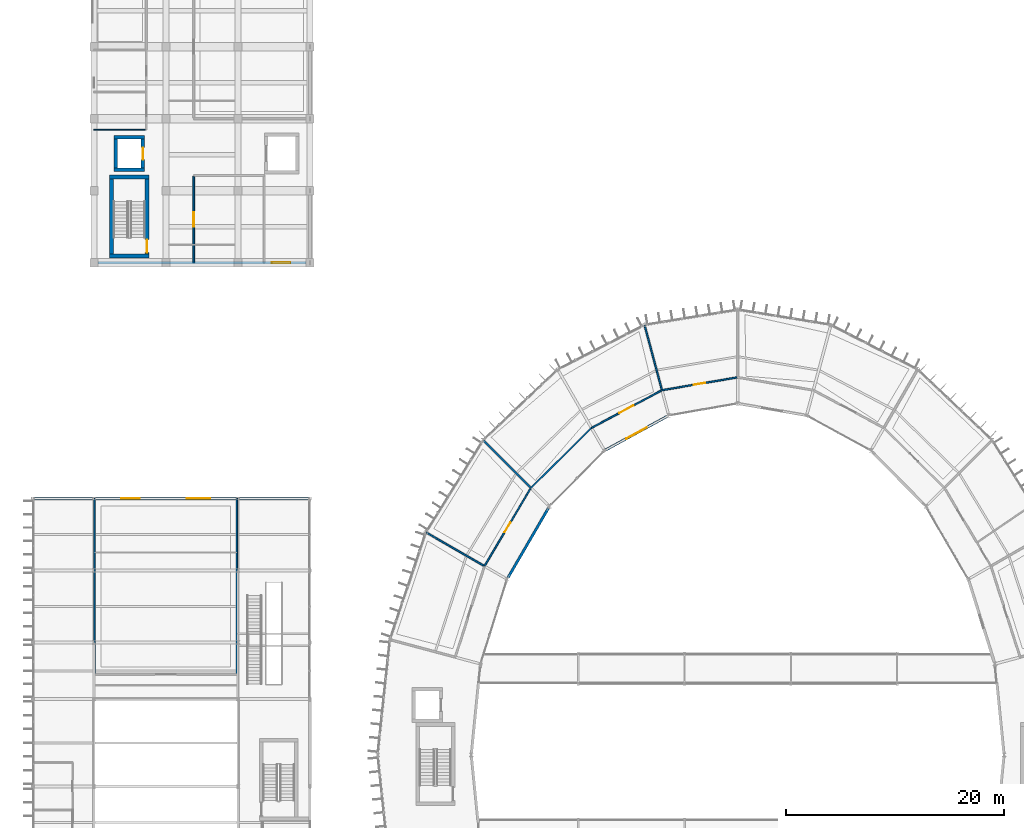
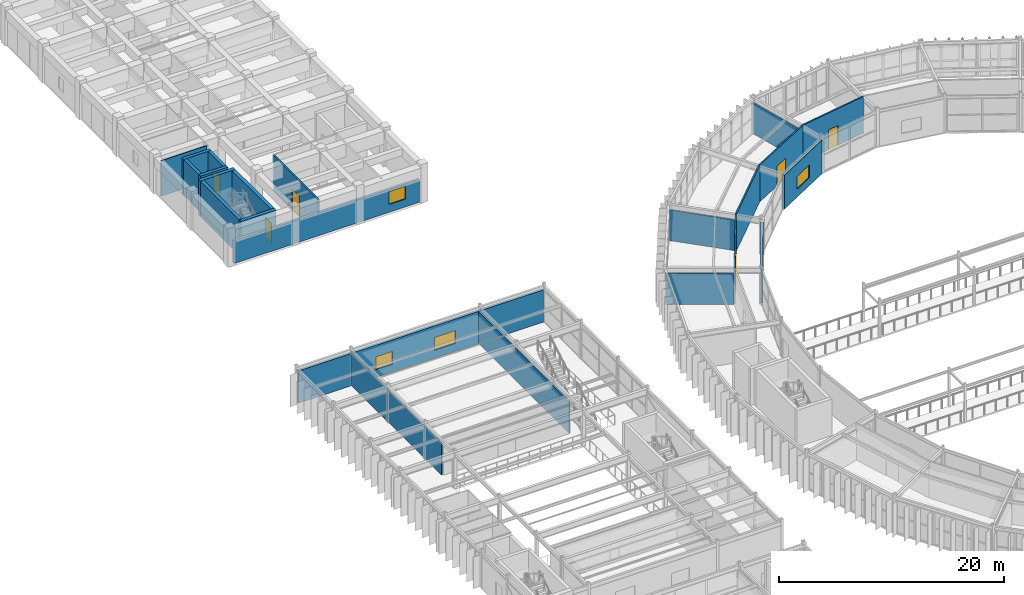
# One storey, part 126 of 148: 23 walls, 6 doors, 4 windows, 10 openings.
"""IFC4 building model written with IfcOpenShell, lengths in metres."""

from ifc_helpers import new_model, si_unit, direction, frame, frame_2d, origin, place, context, subcontext, project, spatial, rectangle, extrude, material, layer, layer_set, type_object, element, fill, save


model = new_model("IFC4")

# Units and contexts
model_context = context("Model", 3, precision=1e-05, world=origin(), true_north=direction((0.0, 1.0)))
body_context = subcontext(model_context, "Body", "Model", "MODEL_VIEW")
ifc_project = project(units=[si_unit("LENGTHUNIT", "METRE"), si_unit("AREAUNIT", "SQUARE_METRE"), si_unit("VOLUMEUNIT", "CUBIC_METRE"), si_unit("PLANEANGLEUNIT", "RADIAN"), si_unit("MASSUNIT", "GRAM", prefix="KILO")], contexts=[model_context])

# Site, building, storey
site_placement = place(None, origin())
site = spatial("IfcSite", under=ifc_project, at=site_placement, CompositionType="ELEMENT")
building_placement = place(site_placement, origin())
building = spatial("IfcBuilding", under=site, at=building_placement, Name="Karori Crest Natural Sciences Institute", CompositionType="ELEMENT")
storey_placement = place(building_placement, frame((0.0, 0.0, 4.89990234375)))
storey = spatial("IfcBuildingStorey", under=building, at=storey_placement, Name="L01", CompositionType="ELEMENT", Elevation=4.89990234375)

# Walls
ifc_material_1 = material(Name="Concrete 50 MPa", Category="concrete")
ifc_layer_1 = layer(ifc_material_1, 0.35009765625, Name="Concrete 50 MPa")
ifc_layer_set_1 = layer_set([ifc_layer_1], Name="Concrete 50 MPa")
wall_type_1 = type_object("IfcWallType", Name="IWT-02", PredefinedType="SHEAR", material=ifc_layer_set_1)
for number, where, z_axis, x_axis, name in (
    (1, (8.85009765625, 95.625, 0.0), (0.0, 0.0, 1.0), (1.0, 0.0, 0.0), "Shear wall IW-0173"),
    (2, (8.85009765625, 102.875, 0.0), (0.0, 0.0, 1.0), (1.0, 0.0, 0.0), "Shear wall IW-0174"),
):
    element("IfcWall", number, at=place(storey_placement, frame(where, z_axis=z_axis, x_axis=x_axis)), inside=storey, type_object=wall_type_1, Name=name, PredefinedType="SHEAR", context=body_context, shape_type="SweptSolid", body=[
        extrude(rectangle(XDim=3.599853515625, YDim=0.35009765625, at=frame_2d((1.7998046875, 0.0))), origin(), (0.0, 0.0, 1.0), 3.85009765625),
    ])
wall_1_placement = place(storey_placement, frame((9.02490234375, 95.802001953125, 0.0), z_axis=(0.0, 0.0, 1.0), x_axis=(0.0, 1.0, 0.0)))
element("IfcWall", 3, at=wall_1_placement, inside=storey, type_object=wall_type_1, Name="Shear wall IW-0175", PredefinedType="SHEAR", context=body_context, shape_type="SweptSolid", body=[
    extrude(rectangle(XDim=6.89599609375, YDim=0.35009765625, at=frame_2d((3.447998046875, 0.0))), origin(), (0.0, 0.0, 1.0), 3.85009765625),
])

# Wall, opening, door
wall_2_placement = place(storey_placement, frame((12.27490234375, 95.802001953125, 0.0), z_axis=(0.0, 0.0, 1.0), x_axis=(0.0, 1.0, 0.0)))
wall_2 = element("IfcWall", 4, at=wall_2_placement, inside=storey, type_object=wall_type_1, Name="Shear wall IW-0176", PredefinedType="SHEAR", context=body_context, shape_type="SweptSolid", body=[
    extrude(rectangle(XDim=6.89599609375, YDim=0.35009765625, at=frame_2d((3.447998046875, 0.0))), origin(), (0.0, 0.0, 1.0), 3.85009765625),
])
opening_1_placement = place(wall_2_placement, frame((0.1201171875, 0.0, 0.0)))
opening_1 = element("IfcOpeningElement", 5, at=opening_1_placement, cuts=wall_2, Name="Opening ID-0044", PredefinedType="OPENING", context=body_context, shape_type="SweptSolid", body=[
    extrude(rectangle(XDim=1.199951171875, YDim=2.14990234375, at=frame_2d((0.60009765625, 1.074951171875))), frame((0.0, 0.18505859375, 0.0), z_axis=(0.0, -1.0, 0.0), x_axis=(1.0, 0.0, 0.0)), (0.0, 0.0, 1.0), 0.3701171875),
])
ifc_material_2 = material(Name="Stainless steel 316 and fire-rated timber", Category="steel")
door_type_1 = type_object("IfcDoorType", Name="IDT-01", OperationType="NOTDEFINED", PredefinedType="DOOR", material=ifc_material_2)
door_1_placement = place(opening_1_placement, origin())
door_1 = element("IfcDoor", 6, at=door_1_placement, inside=storey, type_object=door_type_1, Name="Stair ST-05 fire door ID-0044", OperationType="SINGLE_SWING_RIGHT", OverallHeight=2.14990234375, OverallWidth=1.199951171875, PredefinedType="DOOR", context=body_context, shape_type="SweptSolid", body=[
    extrude(rectangle(XDim=1.199951171875, YDim=2.14990234375, at=frame_2d((0.60009765625, 1.074951171875))), frame((0.0, 0.02490234375, 0.0), z_axis=(0.0, -1.0, 0.0), x_axis=(1.0, 0.0, 0.0)), (0.0, 0.0, 1.0), 0.050048828125),
])
fill(opening_1, door_1)

# Walls
ifc_layer_2 = layer(ifc_material_1, 0.320068359375, Name="Concrete 50 MPa")
ifc_layer_set_2 = layer_set([ifc_layer_2], Name="Concrete 50 MPa")
wall_type_2 = type_object("IfcWallType", Name="IWT-03", PredefinedType="SHEAR", material=ifc_layer_set_2)
for number, where, z_axis, x_axis, name in (
    (7, (9.2451171875, 103.5048828125, 0.0), (0.0, 0.0, 1.0), (1.0, 0.0, 0.0), "Shear wall IW-0495"),
    (8, (9.2451171875, 106.4951171875, 0.0), (0.0, 0.0, 1.0), (1.0, 0.0, 0.0), "Shear wall IW-0496"),
):
    element("IfcWall", number, at=place(storey_placement, frame(where, z_axis=z_axis, x_axis=x_axis)), inside=storey, type_object=wall_type_2, Name=name, PredefinedType="SHEAR", context=body_context, shape_type="SweptSolid", body=[
        extrude(rectangle(XDim=2.809814453125, YDim=0.320068359375, at=frame_2d((1.40478515625, 0.0))), origin(), (0.0, 0.0, 1.0), 3.85009765625),
    ])
wall_3_placement = place(storey_placement, frame((9.405029296875, 103.6669921875, 0.0), z_axis=(0.0, 0.0, 1.0), x_axis=(0.0, 1.0, 0.0)))
element("IfcWall", 9, at=wall_3_placement, inside=storey, type_object=wall_type_2, Name="Shear wall IW-0497", PredefinedType="SHEAR", context=body_context, shape_type="SweptSolid", body=[
    extrude(rectangle(XDim=2.666015625, YDim=0.320068359375, at=frame_2d((1.3330078125, 0.0))), origin(), (0.0, 0.0, 1.0), 3.85009765625),
])

# Wall, opening, door
wall_4_placement = place(storey_placement, frame((11.89501953125, 103.6669921875, 0.0), z_axis=(0.0, 0.0, 1.0), x_axis=(0.0, 1.0, 0.0)))
wall_4 = element("IfcWall", 10, at=wall_4_placement, inside=storey, type_object=wall_type_2, Name="Shear wall IW-0498", PredefinedType="SHEAR", context=body_context, shape_type="SweptSolid", body=[
    extrude(rectangle(XDim=2.666015625, YDim=0.320068359375, at=frame_2d((1.3330078125, 0.0))), origin(), (0.0, 0.0, 1.0), 3.85009765625),
])
opening_2_placement = place(wall_4_placement, frame((0.782958984375, 0.0, 0.0)))
opening_2 = element("IfcOpeningElement", 11, at=opening_2_placement, cuts=wall_4, Name="Opening LD-0050", PredefinedType="OPENING", context=body_context, shape_type="SweptSolid", body=[
    extrude(rectangle(XDim=1.10009765625, YDim=2.14990234375, at=frame_2d((0.550048828125, 1.074951171875))), frame((0.0, 0.169921875, 0.0), z_axis=(0.0, -1.0, 0.0), x_axis=(1.0, 0.0, 0.0)), (0.0, 0.0, 1.0), 0.340087890625),
])
door_type_2 = type_object("IfcDoorType", Name="LDT-01", OperationType="SLIDING_TO_LEFT", PredefinedType="DOOR", material=ifc_material_2)
door_2_placement = place(opening_2_placement, origin())
door_2 = element("IfcDoor", 12, at=door_2_placement, inside=storey, type_object=door_type_2, Name="Lift LP-04 landing door LD-0050", OperationType="SLIDING_TO_LEFT", OverallHeight=2.14990234375, OverallWidth=1.10009765625, PredefinedType="DOOR", context=body_context, shape_type="SweptSolid", body=[
    extrude(rectangle(XDim=1.10009765625, YDim=2.14990234375, at=frame_2d((0.550048828125, 1.074951171875))), frame((0.0, 0.02490234375, 0.0), z_axis=(0.0, -1.0, 0.0), x_axis=(1.0, 0.0, 0.0)), (0.0, 0.0, 1.0), 0.050048828125),
])
fill(opening_2, door_2)

ifc_material_3 = material(Name="Clean-room insulated fire partition")
ifc_layer_3 = layer(ifc_material_3, 0.14990234375, Name="Clean-room insulated fire partition")
ifc_layer_set_3 = layer_set([ifc_layer_3], Name="Clean-room insulated fire partition")
wall_type_3 = type_object("IfcWallType", Name="IWT-06", PredefinedType="PARTITIONING", material=ifc_layer_set_3)
wall_5_placement = place(storey_placement, frame((16.550048828125, 95.0, 0.0), z_axis=(0.0, 0.0, 1.0), x_axis=(0.0, 1.0, 0.0)))
wall_5 = element("IfcWall", 13, at=wall_5_placement, inside=storey, type_object=wall_type_3, Name="Partition wall IW-0948", PredefinedType="PARTITIONING", context=body_context, shape_type="SweptSolid", body=[
    extrude(rectangle(XDim=7.923095703125, YDim=0.14990234375, at=frame_2d((3.96142578125, 0.0))), origin(), (0.0, 0.0, 1.0), 3.85009765625),
])
opening_3_placement = place(wall_5_placement, frame((3.3115234375, 0.0, 0.0)))
opening_3 = element("IfcOpeningElement", 14, at=opening_3_placement, cuts=wall_5, Name="Opening ID-0247", PredefinedType="OPENING", context=body_context, shape_type="SweptSolid", body=[
    extrude(rectangle(XDim=1.300048828125, YDim=2.199951171875, at=frame_2d((0.64990234375, 1.10009765625))), frame((0.0, 0.0849609375, 0.0), z_axis=(0.0, -1.0, 0.0), x_axis=(1.0, 0.0, 0.0)), (0.0, 0.0, 1.0), 0.169921875),
])
door_type_3 = type_object("IfcDoorType", Name="IDT-04", OperationType="NOTDEFINED", PredefinedType="DOOR", material=ifc_material_2)
door_3_placement = place(opening_3_placement, origin())
door_3 = element("IfcDoor", 15, at=door_3_placement, inside=storey, type_object=door_type_3, Name="ISO Class 5 Lithography Clean Room door ID-0247", OperationType="SINGLE_SWING_LEFT", OverallHeight=2.199951171875, OverallWidth=1.300048828125, PredefinedType="DOOR", context=body_context, shape_type="SweptSolid", body=[
    extrude(rectangle(XDim=1.300048828125, YDim=2.199951171875, at=frame_2d((0.64990234375, 1.10009765625))), frame((0.0, 0.02490234375, 0.0), z_axis=(0.0, -1.0, 0.0), x_axis=(1.0, 0.0, 0.0)), (0.0, 0.0, 1.0), 0.050048828125),
])
fill(opening_3, door_3)

# Walls
ifc_material_4 = material(Name="Laboratory acoustic drywall partition")
ifc_layer_4 = layer(ifc_material_4, 0.139892578125, Name="Laboratory acoustic drywall partition")
ifc_layer_set_4 = layer_set([ifc_layer_4], Name="Laboratory acoustic drywall partition")
wall_type_4 = type_object("IfcWallType", Name="IWT-07", PredefinedType="PARTITIONING", material=ifc_layer_set_4)
wall_6_placement = place(storey_placement, frame((7.449951171875, 57.322021484375, 0.0), z_axis=(0.0, 0.0, 1.0), x_axis=(0.0, 1.0, 0.0)))
element("IfcWall", 16, at=wall_6_placement, inside=storey, type_object=wall_type_4, Name="Partition wall IW-1092", PredefinedType="PARTITIONING", context=body_context, shape_type="SweptSolid", body=[
    extrude(rectangle(XDim=16.077880859375, YDim=0.139892578125, at=frame_2d((8.0390625, 0.0))), origin(), (0.0, 0.0, 1.0), 3.445068359375),
])
wall_7_placement = place(storey_placement, frame((20.5, 57.25, 0.0), z_axis=(0.0, 0.0, 1.0), x_axis=(0.0, 1.0, 0.0)))
element("IfcWall", 17, at=wall_7_placement, inside=storey, type_object=wall_type_4, Name="Partition wall IW-1093", PredefinedType="PARTITIONING", context=body_context, shape_type="SweptSolid", body=[
    extrude(rectangle(XDim=16.14990234375, YDim=0.139892578125, at=frame_2d((8.074951171875, 0.0))), origin(), (0.0, 0.0, 1.0), 3.445068359375),
])

# Wall, opening, door
wall_8_placement = place(storey_placement, frame((66.327880859375, 84.48779296875, 0.0), z_axis=(0.0, 0.0, 1.0), x_axis=(-0.98586001765, -0.167570956905, 0.0)))
wall_8 = element("IfcWall", 18, at=wall_8_placement, inside=storey, type_object=wall_type_4, Name="Partition wall IW-1221", PredefinedType="PARTITIONING", context=body_context, shape_type="SweptSolid", body=[
    extrude(rectangle(XDim=6.962646484375, YDim=0.139892578125, at=frame_2d((3.4814453125, 0.0))), origin(), (0.0, 0.0, 1.0), 3.97998046875),
])
opening_4_placement = place(wall_8_placement, frame((2.956298828125, 0.0, 0.0)))
opening_4 = element("IfcOpeningElement", 19, at=opening_4_placement, cuts=wall_8, Name="Opening ID-0371", PredefinedType="OPENING", context=body_context, shape_type="SweptSolid", body=[
    extrude(rectangle(XDim=1.050048828125, YDim=2.14990234375, at=frame_2d((0.52490234375, 1.074951171875))), frame((0.0, 0.080078125, 0.0), z_axis=(0.0, -1.0, 0.0), x_axis=(1.0, 0.0, 0.0)), (0.0, 0.0, 1.0), 0.159912109375),
])
door_type_4 = type_object("IfcDoorType", Name="IDT-03", OperationType="NOTDEFINED", PredefinedType="DOOR", material=ifc_material_2)
door_4_placement = place(opening_4_placement, origin())
door_4 = element("IfcDoor", 20, at=door_4_placement, inside=storey, type_object=door_type_4, Name="Wet Biology Laboratory door ID-0371", OperationType="SINGLE_SWING_RIGHT", OverallHeight=2.14990234375, OverallWidth=1.050048828125, PredefinedType="DOOR", context=body_context, shape_type="SweptSolid", body=[
    extrude(rectangle(XDim=1.050048828125, YDim=2.14990234375, at=frame_2d((0.52490234375, 1.074951171875))), frame((0.0, 0.02490234375, 0.0), z_axis=(0.0, -1.0, 0.0), x_axis=(1.0, 0.0, 0.0)), (0.0, 0.0, 1.0), 0.050048828125),
])
fill(opening_4, door_4)

# Wall
wall_9_placement = place(storey_placement, frame((59.44287109375, 83.398193359375, 0.0), z_axis=(0.0, 0.0, 1.0), x_axis=(-0.258805895167, 0.965929349708, 0.0)))
element("IfcWall", 21, at=wall_9_placement, inside=storey, type_object=wall_type_4, Name="Partition wall IW-1222", PredefinedType="PARTITIONING", context=body_context, shape_type="SweptSolid", body=[
    extrude(rectangle(XDim=6.06005859375, YDim=0.139892578125, at=frame_2d((3.030029296875, 0.0))), origin(), (0.0, 0.0, 1.0), 3.39208984375),
])

# Wall, opening, door
wall_10_placement = place(storey_placement, frame((59.3984375, 83.2861328125, 0.0), z_axis=(0.0, 0.0, 1.0), x_axis=(-0.881829873621, -0.471567676999, 0.0)))
wall_10 = element("IfcWall", 22, at=wall_10_placement, inside=storey, type_object=wall_type_4, Name="Partition wall IW-1223", PredefinedType="PARTITIONING", context=body_context, shape_type="SweptSolid", body=[
    extrude(rectangle(XDim=7.255859375, YDim=0.139892578125, at=frame_2d((3.6279296875, 0.0))), origin(), (0.0, 0.0, 1.0), 3.97998046875),
])
opening_5_placement = place(wall_10_placement, frame((2.8779296875, 0.0, 0.0)))
opening_5 = element("IfcOpeningElement", 23, at=opening_5_placement, cuts=wall_10, Name="Opening ID-0372", PredefinedType="OPENING", context=body_context, shape_type="SweptSolid", body=[
    extrude(rectangle(XDim=1.5, YDim=2.14990234375, at=frame_2d((0.75, 1.074951171875))), frame((0.0, 0.080078125, 0.0), z_axis=(0.0, -1.0, 0.0), x_axis=(1.0, 0.0, 0.0)), (0.0, 0.0, 1.0), 0.159912109375),
])
door_type_5 = type_object("IfcDoorType", Name="IDT-05", OperationType="DOUBLE_DOOR_SINGLE_SWING", PredefinedType="DOOR", material=ifc_material_2)
door_5_placement = place(opening_5_placement, origin())
door_5 = element("IfcDoor", 24, at=door_5_placement, inside=storey, type_object=door_type_5, Name="Analytical Geochemistry Laboratory door ID-0372", OperationType="DOUBLE_DOOR_SINGLE_SWING", OverallHeight=2.14990234375, OverallWidth=1.5, PredefinedType="DOOR", context=body_context, shape_type="SweptSolid", body=[
    extrude(rectangle(XDim=1.5, YDim=2.14990234375, at=frame_2d((0.75, 1.074951171875))), frame((0.0, 0.02490234375, 0.0), z_axis=(0.0, -1.0, 0.0), x_axis=(1.0, 0.0, 0.0)), (0.0, 0.0, 1.0), 0.050048828125),
])
fill(opening_5, door_5)

# Walls
wall_11_placement = place(storey_placement, frame((52.99853515625, 79.863037109375, 0.0), z_axis=(0.0, 0.0, 1.0), x_axis=(-0.710427757183, -0.703770134222, 0.0)))
element("IfcWall", 25, at=wall_11_placement, inside=storey, type_object=wall_type_4, Name="Partition wall IW-1224", PredefinedType="PARTITIONING", context=body_context, shape_type="SweptSolid", body=[
    extrude(rectangle(XDim=7.810791015625, YDim=0.139892578125, at=frame_2d((3.9052734375, 0.0))), origin(), (0.0, 0.0, 1.0), 3.97998046875),
])
wall_12_placement = place(storey_placement, frame((47.392822265625, 74.422607421875, 0.0), z_axis=(0.0, 0.0, 1.0), x_axis=(-0.707106781187, 0.707106781187, 0.0)))
element("IfcWall", 26, at=wall_12_placement, inside=storey, type_object=wall_type_4, Name="Partition wall IW-1225", PredefinedType="PARTITIONING", context=body_context, shape_type="SweptSolid", body=[
    extrude(rectangle(XDim=6.059814453125, YDim=0.139892578125, at=frame_2d((3.02978515625, 0.0))), origin(), (0.0, 0.0, 1.0), 3.322998046875),
])

# Wall, opening, door
wall_13_placement = place(storey_placement, frame((47.41162109375, 74.302001953125, 0.0), z_axis=(0.0, 0.0, 1.0), x_axis=(-0.51092787214, -0.85962358592, 0.0)))
wall_13 = element("IfcWall", 27, at=wall_13_placement, inside=storey, type_object=wall_type_4, Name="Partition wall IW-1226", PredefinedType="PARTITIONING", context=body_context, shape_type="SweptSolid", body=[
    extrude(rectangle(XDim=8.26171875, YDim=0.139892578125, at=frame_2d((4.130859375, 0.0))), origin(), (0.0, 0.0, 1.0), 3.97998046875),
])
opening_6_placement = place(wall_13_placement, frame((3.60595703125, 0.0, 0.0)))
opening_6 = element("IfcOpeningElement", 28, at=opening_6_placement, cuts=wall_13, Name="Opening ID-0373", PredefinedType="OPENING", context=body_context, shape_type="SweptSolid", body=[
    extrude(rectangle(XDim=1.050048828125, YDim=2.14990234375, at=frame_2d((0.52490234375, 1.074951171875))), frame((0.0, 0.080078125, 0.0), z_axis=(0.0, -1.0, 0.0), x_axis=(1.0, 0.0, 0.0)), (0.0, 0.0, 1.0), 0.159912109375),
])
door_6_placement = place(opening_6_placement, origin())
door_6 = element("IfcDoor", 29, at=door_6_placement, inside=storey, type_object=door_type_4, Name="Molecular Ecology Wet Laboratory door ID-0373", OperationType="SINGLE_SWING_LEFT", OverallHeight=2.14990234375, OverallWidth=1.050048828125, PredefinedType="DOOR", context=body_context, shape_type="SweptSolid", body=[
    extrude(rectangle(XDim=1.050048828125, YDim=2.14990234375, at=frame_2d((0.52490234375, 1.074951171875))), frame((0.0, 0.02490234375, 0.0), z_axis=(0.0, -1.0, 0.0), x_axis=(1.0, 0.0, 0.0)), (0.0, 0.0, 1.0), 0.050048828125),
])
fill(opening_6, door_6)

# Walls
wall_14_placement = place(storey_placement, frame((43.12109375, 67.239990234375, 0.0), z_axis=(0.0, 0.0, 1.0), x_axis=(-0.866010470582, 0.500025864173, 0.0)))
element("IfcWall", 30, at=wall_14_placement, inside=storey, type_object=wall_type_4, Name="Partition wall IW-1227", PredefinedType="PARTITIONING", context=body_context, shape_type="SweptSolid", body=[
    extrude(rectangle(XDim=6.059814453125, YDim=0.139892578125, at=frame_2d((3.02978515625, 0.0))), origin(), (0.0, 0.0, 1.0), 3.39208984375),
])
ifc_material_5 = material(Name="Washroom moisture-resistant partition")
ifc_layer_5 = layer(ifc_material_5, 0.10009765625, Name="Washroom moisture-resistant partition")
ifc_layer_set_5 = layer_set([ifc_layer_5], Name="Washroom moisture-resistant partition")
wall_type_5 = type_object("IfcWallType", Name="IWT-09", PredefinedType="PARTITIONING", material=ifc_layer_set_5)
wall_15_placement = place(storey_placement, frame((7.39990234375, 107.199951171875, 0.0), z_axis=(0.0, 0.0, 1.0), x_axis=(1.0, 0.0, 0.0)))
element("IfcWall", 31, at=wall_15_placement, inside=storey, type_object=wall_type_5, Name="Partition wall IW-0936", PredefinedType="PARTITIONING", context=body_context, shape_type="SweptSolid", body=[
    extrude(rectangle(XDim=4.697998046875, YDim=0.10009765625, at=frame_2d((2.34912109375, 0.0))), origin(), (0.0, 0.0, 1.0), 3.85009765625),
])

# Wall, opening, window
ifc_material_6 = material(Name="Precast concrete 40 MPa", Category="concrete")
ifc_layer_6 = layer(ifc_material_6, 0.260009765625, Name="Precast concrete 40 MPa")
ifc_layer_set_6 = layer_set([ifc_layer_6], Name="Precast concrete 40 MPa")
wall_type_6 = type_object("IfcWallType", Name="WT-03", PredefinedType="SOLIDWALL", material=ifc_layer_set_6)
wall_16_placement = place(storey_placement, frame((26.826904296875, 95.0, 0.0), z_axis=(0.0, 0.0, 1.0), x_axis=(-1.0, 0.0, 0.0)))
wall_16 = element("IfcWall", 32, at=wall_16_placement, inside=storey, type_object=wall_type_6, Name="Exterior wall EW-0164", PredefinedType="SOLIDWALL", context=body_context, shape_type="SweptSolid", body=[
    extrude(rectangle(XDim=19.053955078125, YDim=0.260009765625, at=frame_2d((9.52685546875, 0.0))), origin(), (0.0, 0.0, 1.0), 2.47998046875),
])
opening_7_placement = place(wall_16_placement, frame((1.427001953125, 0.0, 0.85009765625)))
opening_7 = element("IfcOpeningElement", 33, at=opening_7_placement, cuts=wall_16, Name="Opening WN-0103", PredefinedType="OPENING", context=body_context, shape_type="SweptSolid", body=[
    extrude(rectangle(XDim=1.699951171875, YDim=1.39990234375, at=frame_2d((0.85009765625, 0.699951171875))), frame((0.0, 0.14013671875, 0.0), z_axis=(0.0, -1.0, 0.0), x_axis=(1.0, 0.0, 0.0)), (0.0, 0.0, 1.0), 0.280029296875),
])
ifc_material_7 = material(Name="Double low-E laminated glass", Category="glass")
window_type_1 = type_object("IfcWindowType", Name="WNT-05", PartitioningType="SINGLE_PANEL", PredefinedType="WINDOW", material=ifc_material_7)
window_1_placement = place(opening_7_placement, origin())
window_1 = element("IfcWindow", 34, at=window_1_placement, inside=storey, type_object=window_type_1, Name="Window WN-0103", OverallHeight=1.39990234375, OverallWidth=1.699951171875, PartitioningType="SINGLE_PANEL", PredefinedType="WINDOW", context=body_context, shape_type="SweptSolid", body=[
    extrude(rectangle(XDim=1.699951171875, YDim=1.39990234375, at=frame_2d((0.85009765625, 0.699951171875))), frame((0.0, 0.030029296875, 0.0), z_axis=(0.0, -1.0, 0.0), x_axis=(1.0, 0.0, 0.0)), (0.0, 0.0, 1.0), 0.06005859375),
])
fill(opening_7, window_1)

ifc_layer_7 = layer(ifc_material_6, 0.239990234375, Name="Precast concrete 40 MPa")
ifc_layer_set_7 = layer_set([ifc_layer_7], Name="Precast concrete 40 MPa")
wall_type_7 = type_object("IfcWallType", Name="WT-04", PredefinedType="SOLIDWALL", material=ifc_layer_set_7)
wall_17_placement = place(storey_placement, frame((59.93408203125, 80.92041015625, 0.0), z_axis=(0.0, 0.0, 1.0), x_axis=(-0.877463709328, -0.479643032695, 0.0)))
wall_17 = element("IfcWall", 35, at=wall_17_placement, inside=storey, type_object=wall_type_7, Name="Exterior wall EW-0041", PredefinedType="SOLIDWALL", context=body_context, shape_type="SweptSolid", body=[
    extrude(rectangle(XDim=6.400146484375, YDim=0.239990234375, at=frame_2d((3.2001953125, 0.0))), origin(), (0.0, 0.0, 1.0), 3.650146484375),
])
opening_8_placement = place(wall_17_placement, frame((2.125244140625, 0.0, 0.85009765625)))
opening_8 = element("IfcOpeningElement", 36, at=opening_8_placement, cuts=wall_17, Name="Opening WN-0011", PredefinedType="OPENING", context=body_context, shape_type="SweptSolid", body=[
    extrude(rectangle(XDim=2.14990234375, YDim=1.39990234375, at=frame_2d((1.074951171875, 0.699951171875))), frame((0.0, 0.1298828125, 0.0), z_axis=(0.0, -1.0, 0.0), x_axis=(1.0, 0.0, 0.0)), (0.0, 0.0, 1.0), 0.260009765625),
])
window_type_2 = type_object("IfcWindowType", Name="WNT-08", PartitioningType="SINGLE_PANEL", PredefinedType="WINDOW", material=ifc_material_7)
window_2_placement = place(opening_8_placement, origin())
window_2 = element("IfcWindow", 37, at=window_2_placement, inside=storey, type_object=window_type_2, Name="Window WN-0011", OverallHeight=1.39990234375, OverallWidth=2.14990234375, PartitioningType="SINGLE_PANEL", PredefinedType="WINDOW", context=body_context, shape_type="SweptSolid", body=[
    extrude(rectangle(XDim=2.14990234375, YDim=1.39990234375, at=frame_2d((1.074951171875, 0.699951171875))), frame((0.0, 0.030029296875, 0.0), z_axis=(0.0, -1.0, 0.0), x_axis=(1.0, 0.0, 0.0)), (0.0, 0.0, 1.0), 0.06005859375),
])
fill(opening_8, window_2)

# Wall
wall_18_placement = place(storey_placement, frame((49.055908203125, 72.512939453125, 0.0), z_axis=(0.0, 0.0, 1.0), x_axis=(-0.502653329169, -0.86448807434, 0.0)))
element("IfcWall", 38, at=wall_18_placement, inside=storey, type_object=wall_type_7, Name="Exterior wall EW-0042", PredefinedType="SOLIDWALL", context=body_context, shape_type="SweptSolid", body=[
    extrude(rectangle(XDim=7.35791015625, YDim=0.239990234375, at=frame_2d((3.678955078125, 0.0))), origin(), (0.0, 0.0, 1.0), 3.650146484375),
])

# Wall, openings, windows
wall_19_placement = place(storey_placement, frame((1.923095703125, 73.39990234375, 0.0), z_axis=(0.0, 0.0, 1.0), x_axis=(1.0, 0.0, 0.0)))
wall_19 = element("IfcWall", 39, at=wall_19_placement, inside=storey, type_object=wall_type_7, Name="Exterior wall EW-0138", PredefinedType="SOLIDWALL", context=body_context, shape_type="SweptSolid", body=[
    extrude(rectangle(XDim=25.15380859375, YDim=0.239990234375, at=frame_2d((12.576904296875, 0.0))), origin(), (0.0, 0.0, 1.0), 3.505126953125),
])
opening_9_placement = place(wall_19_placement, frame((7.97705078125, 0.0, 0.85009765625)))
opening_9 = element("IfcOpeningElement", 40, at=opening_9_placement, cuts=wall_19, Name="Opening WN-0075", PredefinedType="OPENING", context=body_context, shape_type="SweptSolid", body=[
    extrude(rectangle(XDim=1.699951171875, YDim=1.39990234375, at=frame_2d((0.85009765625, 0.699951171875))), frame((0.0, 0.1298828125, 0.0), z_axis=(0.0, -1.0, 0.0), x_axis=(1.0, 0.0, 0.0)), (0.0, 0.0, 1.0), 0.260009765625),
])
opening_10_placement = place(wall_19_placement, frame((13.97705078125, 0.0, 0.85009765625)))
opening_10 = element("IfcOpeningElement", 41, at=opening_10_placement, cuts=wall_19, Name="Opening WN-0076", PredefinedType="OPENING", context=body_context, shape_type="SweptSolid", body=[
    extrude(rectangle(XDim=2.14990234375, YDim=1.39990234375, at=frame_2d((1.074951171875, 0.699951171875))), frame((0.0, 0.1298828125, 0.0), z_axis=(0.0, -1.0, 0.0), x_axis=(1.0, 0.0, 0.0)), (0.0, 0.0, 1.0), 0.260009765625),
])
window_3_placement = place(opening_9_placement, origin())
window_3 = element("IfcWindow", 42, at=window_3_placement, inside=storey, type_object=window_type_1, Name="Window WN-0075", OverallHeight=1.39990234375, OverallWidth=1.699951171875, PartitioningType="SINGLE_PANEL", PredefinedType="WINDOW", context=body_context, shape_type="SweptSolid", body=[
    extrude(rectangle(XDim=1.699951171875, YDim=1.39990234375, at=frame_2d((0.85009765625, 0.699951171875))), frame((0.0, 0.030029296875, 0.0), z_axis=(0.0, -1.0, 0.0), x_axis=(1.0, 0.0, 0.0)), (0.0, 0.0, 1.0), 0.06005859375),
])
fill(opening_9, window_3)
window_4_placement = place(opening_10_placement, origin())
window_4 = element("IfcWindow", 43, at=window_4_placement, inside=storey, type_object=window_type_2, Name="Window WN-0076", OverallHeight=1.39990234375, OverallWidth=2.14990234375, PartitioningType="SINGLE_PANEL", PredefinedType="WINDOW", context=body_context, shape_type="SweptSolid", body=[
    extrude(rectangle(XDim=2.14990234375, YDim=1.39990234375, at=frame_2d((1.074951171875, 0.699951171875))), frame((0.0, 0.030029296875, 0.0), z_axis=(0.0, -1.0, 0.0), x_axis=(1.0, 0.0, 0.0)), (0.0, 0.0, 1.0), 0.06005859375),
])
fill(opening_10, window_4)

save(model, "model.ifc")
